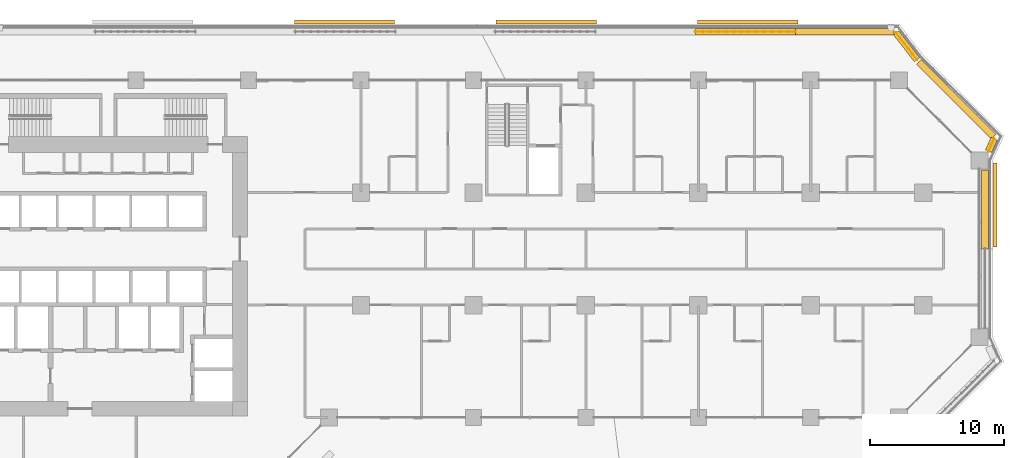
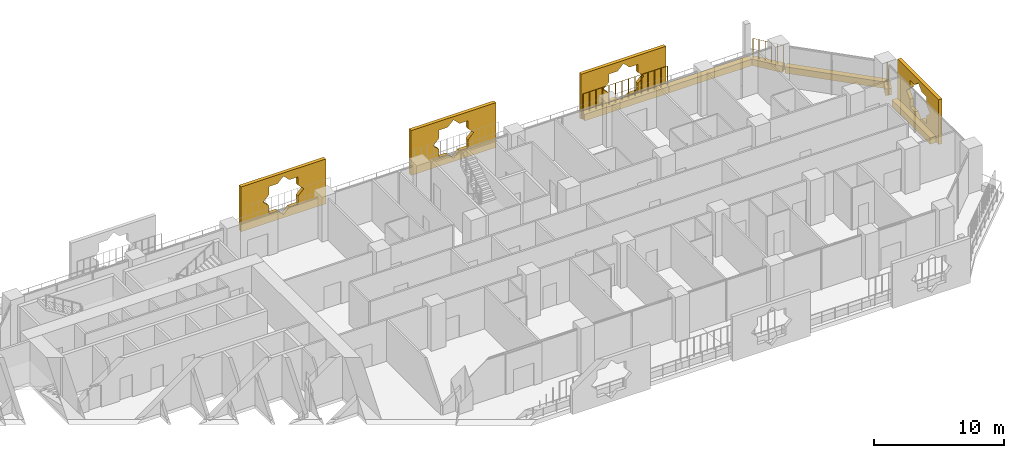
# One storey, part 28 of 28: 10 coverings, 3 railings.
"""IFC4 building model written with IfcOpenShell, lengths in metres."""

from ifc_helpers import new_model, si_unit, direction, frame, origin, origin_2d, place, context, subcontext, project, spatial, polyline, rectangle, circle, outline, extrude, material, material_profile, profile_set, type_object, element, save


model = new_model("IFC4")

# Units and contexts
model_context = context("Model", 3, precision=1e-05, world=origin(), true_north=direction((0.0, 1.0)))
body_context = subcontext(model_context, "Body", "Model", "MODEL_VIEW")
ifc_project = project(units=[si_unit("LENGTHUNIT", "METRE"), si_unit("AREAUNIT", "SQUARE_METRE"), si_unit("VOLUMEUNIT", "CUBIC_METRE"), si_unit("PLANEANGLEUNIT", "RADIAN"), si_unit("MASSUNIT", "GRAM", prefix="KILO")], contexts=[model_context])

# Site, building, storey
site_placement = place(None, origin())
site = spatial("IfcSite", under=ifc_project, at=site_placement, CompositionType="ELEMENT")
building_placement = place(site_placement, origin())
building = spatial("IfcBuilding", under=site, at=building_placement, Name="Kawkab Arch Medical Tower", CompositionType="ELEMENT")
storey_placement = place(building_placement, frame((0.0, 0.0, 68.60009765625)))
storey = spatial("IfcBuildingStorey", under=building, at=storey_placement, Name="L15", CompositionType="ELEMENT", Elevation=68.60009765625)

# Coverings
ifc_material_1 = material(Name="Bronze anodised aluminium mashrabiya panel, eight-point star pattern", Category="aluminium")
ifc_material_profile_1 = material_profile(ifc_material_1, outline(polyline([(-3.14990234375, -2.10009765625), (3.14990234375, -2.10009765625), (3.14990234375, 2.10009765625), (-3.14990234375, 2.10009765625), (-3.14990234375, -2.10009765625)]), holes=[polyline([(1.800048828125, 0.0), (1.272705078125, 0.527099609375), (1.272705078125, 1.272705078125), (0.527099609375, 1.272705078125), (0.0, 1.800048828125), (-0.527099609375, 1.272705078125), (-1.272705078125, 1.272705078125), (-1.272705078125, 0.527099609375), (-1.800048828125, 0.0), (-1.272705078125, -0.527099609375), (-1.272705078125, -1.272705078125), (-0.527099609375, -1.272705078125), (0.0, -1.800048828125), (0.527099609375, -1.272705078125), (1.272705078125, -1.272705078125), (1.272705078125, -0.527099609375), (1.800048828125, 0.0)])]), Name="Mashrabiya panel 6300x4200")
ifc_profile_set_1 = profile_set([ifc_material_profile_1], Name="Bronze anodised aluminium mashrabiya panel, eight-point star pattern")
covering_type_1 = type_object("IfcCoveringType", Name="Mashrabiya panel 6300 x 4200", PredefinedType="USERDEFINED", material=ifc_profile_set_1)
covering_1_placement = place(storey_placement, frame((80.800048828125, -9.31884765625, 1.699951171875), z_axis=(1.0, 0.0, 0.0), x_axis=(0.0, 1.0, 0.0)))
element("IfcCovering", 1, at=covering_1_placement, inside=storey, type_object=covering_type_1, Name="Mashrabiya panel L15.LOG-01-01.10", ObjectType="SCREEN", PredefinedType="USERDEFINED", context=body_context, shape_type="SweptSolid", body=[
    extrude(outline(polyline([(-3.14990234375, -2.10009765625), (3.14990234375, -2.10009765625), (3.14990234375, 2.10009765625), (-3.14990234375, 2.10009765625), (-3.14990234375, -2.10009765625)]), holes=[polyline([(1.800048828125, 0.0), (1.272705078125, 0.527099609375), (1.272705078125, 1.272705078125), (0.527099609375, 1.272705078125), (0.0, 1.800048828125), (-0.527099609375, 1.272705078125), (-1.272705078125, 1.272705078125), (-1.272705078125, 0.527099609375), (-1.800048828125, 0.0), (-1.272705078125, -0.527099609375), (-1.272705078125, -1.272705078125), (-0.527099609375, -1.272705078125), (0.0, -1.800048828125), (0.527099609375, -1.272705078125), (1.272705078125, -1.272705078125), (1.272705078125, -0.527099609375), (1.800048828125, 0.0)])]), origin(), (0.0, 0.0, 1.0), 0.300048828125),
])
ifc_material_2 = material(Name="Bronze anodised aluminium mashrabiya panel, eight-point star pattern", Category="aluminium")
ifc_material_profile_2 = material_profile(ifc_material_2, outline(polyline([(-3.75, -2.10009765625), (3.75, -2.10009765625), (3.75, 2.10009765625), (-3.75, 2.10009765625), (-3.75, -2.10009765625)]), holes=[polyline([(1.800048828125, 0.0), (1.272705078125, 0.527099609375), (1.272705078125, 1.272705078125), (0.527099609375, 1.272705078125), (0.0, 1.800048828125), (-0.527099609375, 1.272705078125), (-1.272705078125, 1.272705078125), (-1.272705078125, 0.527099609375), (-1.800048828125, 0.0), (-1.272705078125, -0.527099609375), (-1.272705078125, -1.272705078125), (-0.527099609375, -1.272705078125), (0.0, -1.800048828125), (0.527099609375, -1.272705078125), (1.272705078125, -1.272705078125), (1.272705078125, -0.527099609375), (1.800048828125, 0.0)])]), Name="Mashrabiya panel 7500x4200")
ifc_profile_set_2 = profile_set([ifc_material_profile_2], Name="Bronze anodised aluminium mashrabiya panel, eight-point star pattern")
covering_type_2 = type_object("IfcCoveringType", Name="Mashrabiya panel 7500 x 4200", PredefinedType="USERDEFINED", material=ifc_profile_set_2)
for number, where, z_axis, x_axis, name in (
    (2, (32.367919921875, 4.199951171875, 1.699951171875), (0.0, 1.0, 0.0), (-1.0, 0.0, 0.0), "Mashrabiya panel L15.LOG-01-01.7"),
    (3, (47.43212890625, 4.199951171875, 1.699951171875), (0.0, 1.0, 0.0), (-1.0, 0.0, 0.0), "Mashrabiya panel L15.LOG-01-01.8"),
    (4, (62.49658203125, 4.199951171875, 1.699951171875), (0.0, 1.0, 0.0), (-1.0, 0.0, 0.0), "Mashrabiya panel L15.LOG-01-01.9"),
):
    element("IfcCovering", number, at=place(storey_placement, frame(where, z_axis=z_axis, x_axis=x_axis)), inside=storey, type_object=covering_type_2, Name=name, ObjectType="SCREEN", PredefinedType="USERDEFINED", context=body_context, shape_type="SweptSolid", body=[
        extrude(outline(polyline([(-3.75, -2.10009765625), (3.75, -2.10009765625), (3.75, 2.10009765625), (-3.75, 2.10009765625), (-3.75, -2.10009765625)]), holes=[polyline([(1.800048828125, 0.0), (1.272705078125, 0.527099609375), (1.272705078125, 1.272705078125), (0.527099609375, 1.272705078125), (0.0, 1.800048828125), (-0.527099609375, 1.272705078125), (-1.272705078125, 1.272705078125), (-1.272705078125, 0.527099609375), (-1.800048828125, 0.0), (-1.272705078125, -0.527099609375), (-1.272705078125, -1.272705078125), (-0.527099609375, -1.272705078125), (0.0, -1.800048828125), (0.527099609375, -1.272705078125), (1.272705078125, -1.272705078125), (1.272705078125, -0.527099609375), (1.800048828125, 0.0)])]), origin(), (0.0, 0.0, 1.0), 0.300048828125),
    ])
ifc_material_3 = material(Name="Planting soil in a precast trough", Category="concrete")
ifc_material_profile_3 = material_profile(ifc_material_3, rectangle(XDim=0.5, YDim=0.60009765625, at=origin_2d()), Name="Trough 500x600")
ifc_profile_set_3 = profile_set([ifc_material_profile_3], Name="Planting soil in a precast trough")
covering_type_3 = type_object("IfcCoveringType", Name="Planter trough 500 x 600", PredefinedType="USERDEFINED", material=ifc_profile_set_3)
covering_2_placement = place(storey_placement, frame((58.575927734375, 3.6201171875, 0.2998046875), z_axis=(1.0, 0.0, 0.0), x_axis=(0.0, 1.0, 0.0)))
element("IfcCovering", 5, at=covering_2_placement, inside=storey, type_object=covering_type_3, Name="Planter L15.LOG-01-01.27", ObjectType="PLANTER", PredefinedType="USERDEFINED", context=body_context, shape_type="SweptSolid", body=[
    extrude(rectangle(XDim=0.5, YDim=0.60009765625, at=origin_2d()), origin(), (0.0, 0.0, 1.0), 7.469970703125),
])
covering_3_placement = place(storey_placement, frame((66.0458984375, 3.6201171875, 0.2998046875), z_axis=(1.0, 0.0, 0.0), x_axis=(0.0, 1.0, 0.0)))
element("IfcCovering", 6, at=covering_3_placement, inside=storey, type_object=covering_type_3, Name="Planter L15.LOG-01-01.28", ObjectType="PLANTER", PredefinedType="USERDEFINED", context=body_context, shape_type="SweptSolid", body=[
    extrude(rectangle(XDim=0.5, YDim=0.60009765625, at=origin_2d()), origin(), (0.0, 0.0, 1.0), 7.3701171875),
])
covering_4_placement = place(storey_placement, frame((73.577880859375, 3.541015625, 0.2998046875), z_axis=(0.614099956103, -0.789228258436, 0.0), x_axis=(0.789228258436, 0.614099956103, 0.0)))
element("IfcCovering", 7, at=covering_4_placement, inside=storey, type_object=covering_type_3, Name="Planter L15.LOG-01-01.29", ObjectType="PLANTER", PredefinedType="USERDEFINED", context=body_context, shape_type="SweptSolid", body=[
    extrude(rectangle(XDim=0.5, YDim=0.60009765625, at=origin_2d()), origin(), (0.0, 0.0, 1.0), 2.545654296875),
])
covering_5_placement = place(storey_placement, frame((75.27294921875, 1.383056640625, 0.2998046875), z_axis=(0.707106781187, -0.707106781187, 0.0), x_axis=(0.707106781187, 0.707106781187, 0.0)))
element("IfcCovering", 8, at=covering_5_placement, inside=storey, type_object=covering_type_3, Name="Planter L15.LOG-01-01.30", ObjectType="PLANTER", PredefinedType="USERDEFINED", context=body_context, shape_type="SweptSolid", body=[
    extrude(rectangle(XDim=0.5, YDim=0.60009765625, at=origin_2d()), origin(), (0.0, 0.0, 1.0), 7.919677734375),
])
covering_6_placement = place(storey_placement, frame((80.902099609375, -4.37890625, 0.2998046875), z_axis=(-0.415071571878, -0.909788761317, 0.0), x_axis=(0.909788761317, -0.415071571878, 0.0)))
element("IfcCovering", 9, at=covering_6_placement, inside=storey, type_object=covering_type_3, Name="Planter L15.LOG-01-01.31", ObjectType="PLANTER", PredefinedType="USERDEFINED", context=body_context, shape_type="SweptSolid", body=[
    extrude(rectangle(XDim=0.5, YDim=0.60009765625, at=origin_2d()), origin(), (0.0, 0.0, 1.0), 1.0146484375),
])
covering_7_placement = place(storey_placement, frame((80.219970703125, -6.705078125, 0.2998046875), z_axis=(0.0, -1.0, 0.0), x_axis=(1.0, 0.0, 0.0)))
element("IfcCovering", 10, at=covering_7_placement, inside=storey, type_object=covering_type_3, Name="Planter L15.LOG-01-01.32", ObjectType="PLANTER", PredefinedType="USERDEFINED", context=body_context, shape_type="SweptSolid", body=[
    extrude(rectangle(XDim=0.5, YDim=0.60009765625, at=origin_2d()), origin(), (0.0, 0.0, 1.0), 5.89501953125),
])

# Railings
ifc_material_4 = material(Name="Bronze anodised aluminium trellis for climbing plants", Category="aluminium")
railing_type = type_object("IfcRailingType", Name="Planting trellis 2400", PredefinedType="USERDEFINED", material=ifc_material_4)
railing_1_placement = place(storey_placement, frame((58.575927734375, 3.6201171875, 0.0)))
element("IfcRailing", 11, at=railing_1_placement, inside=storey, type_object=railing_type, Name="Planting trellis L15.LOG-01-01.27", ObjectType="TRELLIS", PredefinedType="USERDEFINED", context=body_context, shape_type="SweptSolid", body=[
    extrude(circle(Radius=0.01513671875, at=origin_2d()), frame((0.0, 0.0, 2.384765625), z_axis=(1.0, 0.0, 0.0), x_axis=(0.0, 1.0, 0.0)), (0.0, 0.0, 1.0), 7.469970703125),
    extrude(circle(Radius=0.030029296875, at=origin_2d()), origin(), (0.0, 0.0, 1.0), 2.369873046875),
    extrude(circle(Radius=0.030029296875, at=origin_2d()), frame((0.57470703125, 0.0, 0.0)), (0.0, 0.0, 1.0), 2.369873046875),
    extrude(circle(Radius=0.030029296875, at=origin_2d()), frame((1.149169921875, 0.0, 0.0)), (0.0, 0.0, 1.0), 2.369873046875),
    extrude(circle(Radius=0.030029296875, at=origin_2d()), frame((1.723876953125, 0.0, 0.0)), (0.0, 0.0, 1.0), 2.369873046875),
    extrude(circle(Radius=0.030029296875, at=origin_2d()), frame((2.29833984375, 0.0, 0.0)), (0.0, 0.0, 1.0), 2.369873046875),
    extrude(circle(Radius=0.030029296875, at=origin_2d()), frame((2.873046875, 0.0, 0.0)), (0.0, 0.0, 1.0), 2.369873046875),
    extrude(circle(Radius=0.030029296875, at=origin_2d()), frame((3.44775390625, 0.0, 0.0)), (0.0, 0.0, 1.0), 2.369873046875),
    extrude(circle(Radius=0.030029296875, at=origin_2d()), frame((4.022216796875, 0.0, 0.0)), (0.0, 0.0, 1.0), 2.369873046875),
    extrude(circle(Radius=0.030029296875, at=origin_2d()), frame((4.596923828125, 0.0, 0.0)), (0.0, 0.0, 1.0), 2.369873046875),
    extrude(circle(Radius=0.030029296875, at=origin_2d()), frame((5.171630859375, 0.0, 0.0)), (0.0, 0.0, 1.0), 2.369873046875),
    extrude(circle(Radius=0.030029296875, at=origin_2d()), frame((5.74609375, 0.0, 0.0)), (0.0, 0.0, 1.0), 2.369873046875),
    extrude(circle(Radius=0.030029296875, at=origin_2d()), frame((6.32080078125, 0.0, 0.0)), (0.0, 0.0, 1.0), 2.369873046875),
    extrude(circle(Radius=0.030029296875, at=origin_2d()), frame((6.895263671875, 0.0, 0.0)), (0.0, 0.0, 1.0), 2.369873046875),
    extrude(circle(Radius=0.030029296875, at=origin_2d()), frame((7.469970703125, 0.0, 0.0)), (0.0, 0.0, 1.0), 2.369873046875),
])
railing_2_placement = place(storey_placement, frame((73.577880859375, 3.541015625, 0.0)))
element("IfcRailing", 12, at=railing_2_placement, inside=storey, type_object=railing_type, Name="Planting trellis L15.LOG-01-01.29", ObjectType="TRELLIS", PredefinedType="USERDEFINED", context=body_context, shape_type="SweptSolid", body=[
    extrude(circle(Radius=0.01513671875, at=origin_2d()), frame((0.0, 0.0, 2.384765625), z_axis=(0.614099956103, -0.789228258436, 0.0), x_axis=(0.789228258436, 0.614099956103, 0.0)), (0.0, 0.0, 1.0), 2.545654296875),
    extrude(circle(Radius=0.030029296875, at=origin_2d()), origin(), (0.0, 0.0, 1.0), 2.369873046875),
    extrude(circle(Radius=0.030029296875, at=origin_2d()), frame((0.312744140625, -0.40185546875, 0.0)), (0.0, 0.0, 1.0), 2.369873046875),
    extrude(circle(Radius=0.030029296875, at=origin_2d()), frame((0.625244140625, -0.8037109375, 0.0)), (0.0, 0.0, 1.0), 2.369873046875),
    extrude(circle(Radius=0.030029296875, at=origin_2d()), frame((0.93798828125, -1.205322265625, 0.0)), (0.0, 0.0, 1.0), 2.369873046875),
    extrude(circle(Radius=0.030029296875, at=origin_2d()), frame((1.25048828125, -1.607177734375, 0.0)), (0.0, 0.0, 1.0), 2.369873046875),
    extrude(circle(Radius=0.030029296875, at=origin_2d()), frame((1.563232421875, -2.009033203125, 0.0)), (0.0, 0.0, 1.0), 2.369873046875),
])
railing_3_placement = place(storey_placement, frame((80.902099609375, -4.37890625, 0.0)))
element("IfcRailing", 13, at=railing_3_placement, inside=storey, type_object=railing_type, Name="Planting trellis L15.LOG-01-01.31", ObjectType="TRELLIS", PredefinedType="USERDEFINED", context=body_context, shape_type="SweptSolid", body=[
    extrude(circle(Radius=0.01513671875, at=origin_2d()), frame((0.0, 0.0, 2.384765625), z_axis=(-0.415071571878, -0.909788761317, 0.0), x_axis=(0.909788761317, -0.415071571878, 0.0)), (0.0, 0.0, 1.0), 1.0146484375),
    extrude(circle(Radius=0.030029296875, at=origin_2d()), origin(), (0.0, 0.0, 1.0), 2.369873046875),
    extrude(circle(Radius=0.030029296875, at=origin_2d()), frame((-0.21044921875, -0.46142578125, 0.0)), (0.0, 0.0, 1.0), 2.369873046875),
    extrude(circle(Radius=0.030029296875, at=origin_2d()), frame((-0.421142578125, -0.923095703125, 0.0)), (0.0, 0.0, 1.0), 2.369873046875),
])

save(model, "model.ifc")
